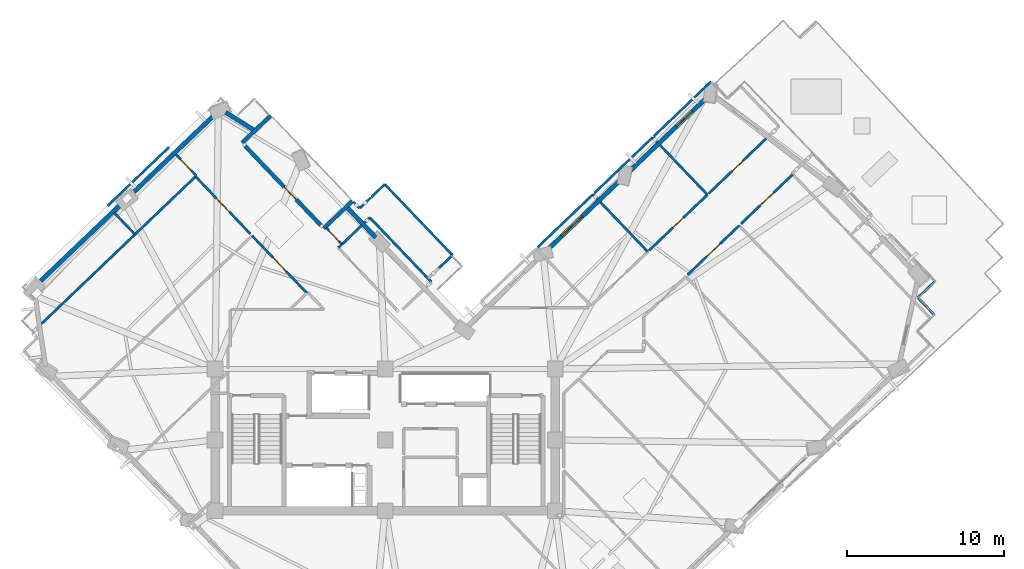
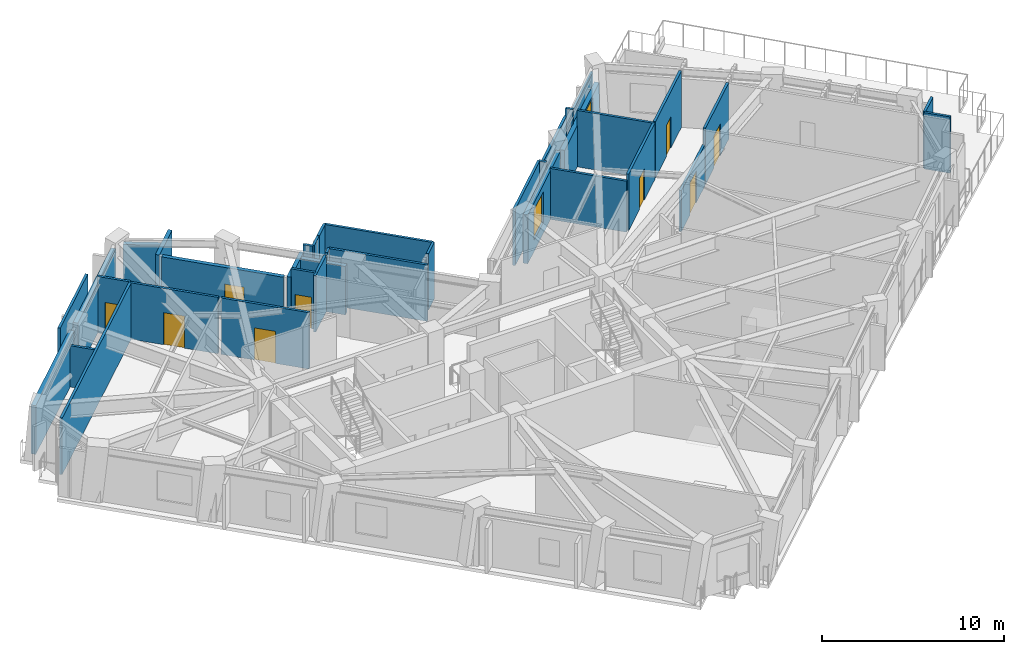
# One storey, part 11 of 17: 37 walls, 9 doors, 2 windows, 11 openings.
"""IFC4 building model written with IfcOpenShell, lengths in metres."""

from ifc_helpers import new_model, si_unit, direction, frame, frame_2d, origin, place, context, subcontext, project, spatial, rectangle, extrude, material, layer, layer_set, type_object, element, fill, save


model = new_model("IFC4")

# Units and contexts
model_context = context("Model", 3, precision=1e-05, world=origin(), true_north=direction((0.0, 1.0)))
body_context = subcontext(model_context, "Body", "Model", "MODEL_VIEW")
ifc_project = project(units=[si_unit("LENGTHUNIT", "METRE"), si_unit("AREAUNIT", "SQUARE_METRE"), si_unit("VOLUMEUNIT", "CUBIC_METRE"), si_unit("PLANEANGLEUNIT", "RADIAN"), si_unit("MASSUNIT", "GRAM", prefix="KILO")], contexts=[model_context])

# Site, building, storey
site_placement = place(None, origin())
site = spatial("IfcSite", under=ifc_project, at=site_placement, CompositionType="ELEMENT")
building_placement = place(site_placement, origin())
building = spatial("IfcBuilding", under=site, at=building_placement, Name="Gaonmaruhae Medical Tower", CompositionType="ELEMENT")
storey_placement = place(building_placement, frame((0.0, 0.0, 211.199951171875)))
storey = spatial("IfcBuildingStorey", under=building, at=storey_placement, Name="L50", CompositionType="ELEMENT", Elevation=211.199951171875)

# Wall, opening, door
ifc_material_1 = material(Name="Precast concrete C45/55", Category="concrete")
ifc_layer_1 = layer(ifc_material_1, 0.239990234375)
ifc_layer_set_1 = layer_set([ifc_layer_1], Name="Precast concrete C45/55")
wall_type_1 = type_object("IfcWallType", Name="EW-240 Ribbon & Shelter Insulated Precast Wall", PredefinedType="SOLIDWALL", material=ifc_layer_set_1)
wall_1_placement = place(storey_placement, frame((15.90185546875, 30.958984375, 0.0), z_axis=(0.0, 0.0, 1.0), x_axis=(0.690876921508, -0.722972391816, 0.0)))
wall_1 = element("IfcWall", 1, at=wall_1_placement, inside=storey, type_object=wall_type_1, Name="L50 Recessed Terrace Enclosure Wall TERB", PredefinedType="SOLIDWALL", context=body_context, shape_type="SweptSolid", body=[
    extrude(rectangle(XDim=6.960205078125, YDim=0.239990234375, at=frame_2d((3.47998046875, 0.0))), origin(), (0.0, 0.0, 1.0), 3.26513671875),
])
opening_1_placement = place(wall_1_placement, frame((3.59716796875, 0.0, 0.0)))
opening_1 = element("IfcOpeningElement", 2, at=opening_1_placement, cuts=wall_1, Name="Opening TD-01", PredefinedType="OPENING", context=body_context, shape_type="SweptSolid", body=[
    extrude(rectangle(XDim=1.10009765625, YDim=2.14990234375, at=frame_2d((0.550048828125, 1.074951171875))), frame((0.0, 0.1298828125, 0.0), z_axis=(0.0, -1.0, 0.0), x_axis=(1.0, 0.0, 0.0)), (0.0, 0.0, 1.0), 0.260009765625),
])
ifc_material_2 = material(Name="Anodised aluminium and toughened safety glass", Category="aluminium")
door_type_1 = type_object("IfcDoorType", Name="TD-01 Terrace & Sky Garden Glazed Door 1100x2150", OperationType="NOTDEFINED", PredefinedType="DOOR", material=ifc_material_2)
door_1_placement = place(opening_1_placement, origin())
door_1 = element("IfcDoor", 3, at=door_1_placement, inside=storey, type_object=door_type_1, Name="L50 Outdoor Terrace Access Door SLB-L50-TER", OperationType="SINGLE_SWING_LEFT", OverallHeight=2.14990234375, OverallWidth=1.10009765625, PredefinedType="DOOR", context=body_context, shape_type="SweptSolid", body=[
    extrude(rectangle(XDim=1.10009765625, YDim=2.14990234375, at=frame_2d((0.550048828125, 1.074951171875))), frame((0.0, 0.02490234375, 0.0), z_axis=(0.0, -1.0, 0.0), x_axis=(1.0, 0.0, 0.0)), (0.0, 0.0, 1.0), 0.050048828125),
])
fill(opening_1, door_1)

# Walls
for number, where, z_axis, x_axis, name in (
    (4, (20.90380859375, 25.724609375, 0.0), (0.0, 0.0, 1.0), (0.722940828191, 0.690909949946, 0.0), "L50 Recessed Terrace Enclosure Wall TERL"),
    (5, (17.515869140625, 32.888671875, 0.0), (0.0, 0.0, 1.0), (-0.722940828191, -0.690909949946, 0.0), "L50 Recessed Terrace Enclosure Wall TERR"),
):
    element("IfcWall", number, at=place(storey_placement, frame(where, z_axis=z_axis, x_axis=x_axis)), inside=storey, type_object=wall_type_1, Name=name, PredefinedType="SOLIDWALL", context=body_context, shape_type="SweptSolid", body=[
        extrude(rectangle(XDim=2.5, YDim=0.239990234375, at=frame_2d((1.25, 0.0))), origin(), (0.0, 0.0, 1.0), 3.26513671875),
    ])

# Wall, opening, window
ifc_layer_2 = layer(ifc_material_1, 0.280029296875)
ifc_layer_set_2 = layer_set([ifc_layer_2], Name="Precast concrete C45/55")
wall_type_2 = type_object("IfcWallType", Name="EW-280 Upper Precast Masonry-Frame Facade Wall", PredefinedType="SOLIDWALL", material=ifc_layer_set_2)
wall_2_placement = place(storey_placement, frame((40.318603515625, 29.353271484375, 0.0), z_axis=(0.0, 0.0, 1.0), x_axis=(0.722967108735, 0.690882449977, 0.0)))
wall_2 = element("IfcWall", 6, at=wall_2_placement, inside=storey, type_object=wall_type_2, Name="L50 Precast Masonry-Frame Wall E03-EN01", PredefinedType="SOLIDWALL", context=body_context, shape_type="SweptSolid", body=[
    extrude(rectangle(XDim=6.77978515625, YDim=0.280029296875, at=frame_2d((3.389892578125, 0.0))), origin(), (0.0, 0.0, 1.0), 2.76513671875),
])
opening_2_placement = place(wall_2_placement, frame((4.123779296875, 0.0, 0.75)))
opening_2 = element("IfcOpeningElement", 7, at=opening_2_placement, cuts=wall_2, Name="Opening WN-03", PredefinedType="OPENING", context=body_context, shape_type="SweptSolid", body=[
    extrude(rectangle(XDim=1.39990234375, YDim=1.85009765625, at=frame_2d((0.699951171875, 0.925048828125))), frame((0.0, 0.14990234375, 0.0), z_axis=(0.0, -1.0, 0.0), x_axis=(1.0, 0.0, 0.0)), (0.0, 0.0, 1.0), 0.300048828125),
])
ifc_material_3 = material(Name="Anodised aluminium and Low-E double glazing", Category="aluminium")
window_type_1 = type_object("IfcWindowType", Name="WN-03 Isolation Ward Punched Window 1400x1850", PartitioningType="SINGLE_PANEL", PredefinedType="WINDOW", material=ifc_material_3)
window_1_placement = place(opening_2_placement, origin())
window_1 = element("IfcWindow", 8, at=window_1_placement, inside=storey, type_object=window_type_1, Name="L50 Modular Facade Window E03", OverallHeight=1.85009765625, OverallWidth=1.39990234375, PartitioningType="SINGLE_PANEL", PredefinedType="WINDOW", context=body_context, shape_type="SweptSolid", body=[
    extrude(rectangle(XDim=1.39990234375, YDim=1.85009765625, at=frame_2d((0.699951171875, 0.925048828125))), frame((0.0, 0.030029296875, 0.0), z_axis=(0.0, -1.0, 0.0), x_axis=(1.0, 0.0, 0.0)), (0.0, 0.0, 1.0), 0.06005859375),
])
fill(opening_2, window_1)

wall_3_placement = place(storey_placement, frame((35.117431640625, 24.3828125, 0.0), z_axis=(0.0, 0.0, 1.0), x_axis=(0.722980120971, 0.690868833195, 0.0)))
wall_3 = element("IfcWall", 9, at=wall_3_placement, inside=storey, type_object=wall_type_2, Name="L50 Precast Masonry-Frame Wall EN01-EN02", PredefinedType="SOLIDWALL", context=body_context, shape_type="SweptSolid", body=[
    extrude(rectangle(XDim=6.4091796875, YDim=0.280029296875, at=frame_2d((3.20458984375, 0.0))), origin(), (0.0, 0.0, 1.0), 3.26513671875),
])
opening_3_placement = place(wall_3_placement, frame((1.24658203125, 0.0, 0.75)))
opening_3 = element("IfcOpeningElement", 10, at=opening_3_placement, cuts=wall_3, Name="Opening WN-04", PredefinedType="OPENING", context=body_context, shape_type="SweptSolid", body=[
    extrude(rectangle(XDim=1.800048828125, YDim=2.050048828125, at=frame_2d((0.89990234375, 1.02490234375))), frame((0.0, 0.14990234375, 0.0), z_axis=(0.0, -1.0, 0.0), x_axis=(1.0, 0.0, 0.0)), (0.0, 0.0, 1.0), 0.300048828125),
])
window_type_2 = type_object("IfcWindowType", Name="WN-04 Clinic & Consult Punched Window 1800x2050", PartitioningType="SINGLE_PANEL", PredefinedType="WINDOW", material=ifc_material_3)
window_2_placement = place(opening_3_placement, origin())
window_2 = element("IfcWindow", 11, at=window_2_placement, inside=storey, type_object=window_type_2, Name="L50 Modular Facade Window EN01", OverallHeight=2.050048828125, OverallWidth=1.800048828125, PartitioningType="SINGLE_PANEL", PredefinedType="WINDOW", context=body_context, shape_type="SweptSolid", body=[
    extrude(rectangle(XDim=1.800048828125, YDim=2.050048828125, at=frame_2d((0.89990234375, 1.02490234375))), frame((0.0, 0.030029296875, 0.0), z_axis=(0.0, -1.0, 0.0), x_axis=(1.0, 0.0, 0.0)), (0.0, 0.0, 1.0), 0.06005859375),
])
fill(opening_3, window_2)

# Walls
wall_4_placement = place(storey_placement, frame((22.3564453125, 27.085205078125, 0.0), z_axis=(0.0, 0.0, 1.0), x_axis=(0.690850366561, -0.722997766956, 0.0)))
element("IfcWall", 12, at=wall_4_placement, inside=storey, type_object=wall_type_2, Name="L50 Precast Masonry-Frame Wall NE01-NE02", PredefinedType="SOLIDWALL", context=body_context, shape_type="SweptSolid", body=[
    extrude(rectangle(XDim=2.680908203125, YDim=0.280029296875, at=frame_2d((1.34033203125, 0.0))), origin(), (0.0, 0.0, 1.0), 3.2451171875),
])
wall_5_placement = place(storey_placement, frame((14.66845703125, 33.096923828125, 0.0), z_axis=(0.0, 0.0, 1.0), x_axis=(0.848820554676, -0.528681062607, 0.0)))
element("IfcWall", 13, at=wall_5_placement, inside=storey, type_object=wall_type_2, Name="L50 Precast Masonry-Frame Wall NE02-N01", PredefinedType="SOLIDWALL", context=body_context, shape_type="SweptSolid", body=[
    extrude(rectangle(XDim=2.165771484375, YDim=0.280029296875, at=frame_2d((1.0830078125, 0.0))), origin(), (0.0, 0.0, 1.0), 3.2451171875),
])
wall_6_placement = place(storey_placement, frame((8.568359375, 27.7822265625, 0.0), z_axis=(0.0, 0.0, 1.0), x_axis=(0.722966997623, 0.69088256625, 0.0)))
element("IfcWall", 14, at=wall_6_placement, inside=storey, type_object=wall_type_2, Name="L50 Precast Masonry-Frame Wall N01-N02", PredefinedType="SOLIDWALL", context=body_context, shape_type="SweptSolid", body=[
    extrude(rectangle(XDim=7.434326171875, YDim=0.280029296875, at=frame_2d((3.71728515625, 0.0))), origin(), (0.0, 0.0, 1.0), 3.26513671875),
])
wall_7_placement = place(storey_placement, frame((2.6171875, 22.09521484375, 0.0), z_axis=(0.0, 0.0, 1.0), x_axis=(0.722973311948, 0.690875958629, 0.0)))
element("IfcWall", 15, at=wall_7_placement, inside=storey, type_object=wall_type_2, Name="L50 Precast Masonry-Frame Wall N02-N03", PredefinedType="SOLIDWALL", context=body_context, shape_type="SweptSolid", body=[
    extrude(rectangle(XDim=7.484619140625, YDim=0.280029296875, at=frame_2d((3.7421875, 0.0))), origin(), (0.0, 0.0, 1.0), 3.26513671875),
])

# Wall, opening, door
ifc_material_4 = material(Name="Gypsum board partition", Category="gypsum")
ifc_layer_3 = layer(ifc_material_4, 0.14990234375)
ifc_layer_set_3 = layer_set([ifc_layer_3], Name="Gypsum board partition")
wall_type_3 = type_object("IfcWallType", Name="PW-150 Rated Clinical Corridor Partition", PredefinedType="PARTITIONING", material=ifc_layer_set_3)
wall_8_placement = place(storey_placement, frame((44.00390625, 22.778076171875, 0.0), z_axis=(0.0, 0.0, 1.0), x_axis=(0.723025899483, 0.69082092374, 0.0)))
wall_8 = element("IfcWall", 16, at=wall_8_placement, inside=storey, type_object=wall_type_3, Name="L50 Interior Partition L50-SUP08-30", PredefinedType="PARTITIONING", context=body_context, shape_type="SweptSolid", body=[
    extrude(rectangle(XDim=4.541015625, YDim=0.14990234375, at=frame_2d((2.2705078125, 0.0))), origin(), (0.0, 0.0, 1.0), 2.76513671875),
])
opening_4_placement = place(wall_8_placement, frame((1.67041015625, 0.0, 0.0)))
opening_4 = element("IfcOpeningElement", 17, at=opening_4_placement, cuts=wall_8, Name="Opening CD-02", PredefinedType="OPENING", context=body_context, shape_type="SweptSolid", body=[
    extrude(rectangle(XDim=1.199951171875, YDim=2.14990234375, at=frame_2d((0.60009765625, 1.074951171875))), frame((0.0, 0.0849609375, 0.0), z_axis=(0.0, -1.0, 0.0), x_axis=(1.0, 0.0, 0.0)), (0.0, 0.0, 1.0), 0.169921875),
])
ifc_material_5 = material(Name="Antimicrobial laminate timber fire door", Category="wood")
door_type_2 = type_object("IfcDoorType", Name="CD-02 Clinical Treatment & Procedure Door 1200x2150", OperationType="NOTDEFINED", PredefinedType="DOOR", material=ifc_material_5)
door_2_placement = place(opening_4_placement, origin())
door_2 = element("IfcDoor", 18, at=door_2_placement, inside=storey, type_object=door_type_2, Name="L50 Clinical Biomedical Charting Office Door", OperationType="SINGLE_SWING_LEFT", OverallHeight=2.14990234375, OverallWidth=1.199951171875, PredefinedType="DOOR", context=body_context, shape_type="SweptSolid", body=[
    extrude(rectangle(XDim=1.199951171875, YDim=2.14990234375, at=frame_2d((0.60009765625, 1.074951171875))), frame((0.0, 0.02490234375, 0.0), z_axis=(0.0, -1.0, 0.0), x_axis=(1.0, 0.0, 0.0)), (0.0, 0.0, 1.0), 0.050048828125),
])
fill(opening_4, door_2)

wall_9_placement = place(storey_placement, frame((47.402099609375, 26.02490234375, 0.0), z_axis=(0.0, 0.0, 1.0), x_axis=(0.722973384646, 0.690875882553, 0.0)))
wall_9 = element("IfcWall", 19, at=wall_9_placement, inside=storey, type_object=wall_type_3, Name="L50 Interior Partition L50-SUP09-33", PredefinedType="PARTITIONING", context=body_context, shape_type="SweptSolid", body=[
    extrude(rectangle(XDim=4.541015625, YDim=0.14990234375, at=frame_2d((2.2705078125, 0.0))), origin(), (0.0, 0.0, 1.0), 3.780029296875),
])
opening_5_placement = place(wall_9_placement, frame((1.67041015625, 0.0, 0.0)))
opening_5 = element("IfcOpeningElement", 20, at=opening_5_placement, cuts=wall_9, Name="Opening CD-02", PredefinedType="OPENING", context=body_context, shape_type="SweptSolid", body=[
    extrude(rectangle(XDim=1.199951171875, YDim=2.14990234375, at=frame_2d((0.60009765625, 1.074951171875))), frame((0.0, 0.0849609375, 0.0), z_axis=(0.0, -1.0, 0.0), x_axis=(1.0, 0.0, 0.0)), (0.0, 0.0, 1.0), 0.169921875),
])
door_3_placement = place(opening_5_placement, origin())
door_3 = element("IfcDoor", 21, at=door_3_placement, inside=storey, type_object=door_type_2, Name="L50 Clinical Biomedical Charting Office Door", OperationType="SINGLE_SWING_LEFT", OverallHeight=2.14990234375, OverallWidth=1.199951171875, PredefinedType="DOOR", context=body_context, shape_type="SweptSolid", body=[
    extrude(rectangle(XDim=1.199951171875, YDim=2.14990234375, at=frame_2d((0.60009765625, 1.074951171875))), frame((0.0, 0.02490234375, 0.0), z_axis=(0.0, -1.0, 0.0), x_axis=(1.0, 0.0, 0.0)), (0.0, 0.0, 1.0), 0.050048828125),
])
fill(opening_5, door_3)

wall_10_placement = place(storey_placement, frame((16.35302734375, 25.261962890625, 0.0), z_axis=(0.0, 0.0, 1.0), x_axis=(0.690842016715, -0.723005745441, 0.0)))
wall_10 = element("IfcWall", 22, at=wall_10_placement, inside=storey, type_object=wall_type_3, Name="L50 Interior Partition L50-WOF13-50", PredefinedType="PARTITIONING", context=body_context, shape_type="SweptSolid", body=[
    extrude(rectangle(XDim=5.0400390625, YDim=0.14990234375, at=frame_2d((2.52001953125, 0.0))), origin(), (0.0, 0.0, 1.0), 3.780029296875),
])
opening_6_placement = place(wall_10_placement, frame((1.920166015625, 0.0, 0.0)))
opening_6 = element("IfcOpeningElement", 23, at=opening_6_placement, cuts=wall_10, Name="Opening CD-02", PredefinedType="OPENING", context=body_context, shape_type="SweptSolid", body=[
    extrude(rectangle(XDim=1.199951171875, YDim=2.14990234375, at=frame_2d((0.60009765625, 1.074951171875))), frame((0.0, 0.0849609375, 0.0), z_axis=(0.0, -1.0, 0.0), x_axis=(1.0, 0.0, 0.0)), (0.0, 0.0, 1.0), 0.169921875),
])
door_4_placement = place(opening_6_placement, origin())
door_4 = element("IfcDoor", 24, at=door_4_placement, inside=storey, type_object=door_type_2, Name="L50 Ward Physician Reporting Office Door", OperationType="SINGLE_SWING_RIGHT", OverallHeight=2.14990234375, OverallWidth=1.199951171875, PredefinedType="DOOR", context=body_context, shape_type="SweptSolid", body=[
    extrude(rectangle(XDim=1.199951171875, YDim=2.14990234375, at=frame_2d((0.60009765625, 1.074951171875))), frame((0.0, 0.02490234375, 0.0), z_axis=(0.0, -1.0, 0.0), x_axis=(1.0, 0.0, 0.0)), (0.0, 0.0, 1.0), 0.050048828125),
])
fill(opening_6, door_4)

# Wall
wall_11_placement = place(storey_placement, frame((2.948974609375, 19.64599609375, 0.0), z_axis=(0.0, 0.0, 1.0), x_axis=(0.722954347525, 0.690895803573, 0.0)))
element("IfcWall", 25, at=wall_11_placement, inside=storey, type_object=wall_type_3, Name="L50 Interior Partition L50-WOF14-54", PredefinedType="PARTITIONING", context=body_context, shape_type="SweptSolid", body=[
    extrude(rectangle(XDim=13.57080078125, YDim=0.14990234375, at=frame_2d((6.785400390625, 0.0))), origin(), (0.0, 0.0, 1.0), 3.780029296875),
])

# Wall, opening, door
wall_12_placement = place(storey_placement, frame((12.760009765625, 29.02197265625, 0.0), z_axis=(0.0, 0.0, 1.0), x_axis=(0.690842016715, -0.723005745441, 0.0)))
wall_12 = element("IfcWall", 26, at=wall_12_placement, inside=storey, type_object=wall_type_3, Name="L50 Interior Partition L50-WOF14-55", PredefinedType="PARTITIONING", context=body_context, shape_type="SweptSolid", body=[
    extrude(rectangle(XDim=5.0400390625, YDim=0.14990234375, at=frame_2d((2.52001953125, 0.0))), origin(), (0.0, 0.0, 1.0), 3.780029296875),
])
opening_7_placement = place(wall_12_placement, frame((1.920166015625, 0.0, 0.0)))
opening_7 = element("IfcOpeningElement", 27, at=opening_7_placement, cuts=wall_12, Name="Opening CD-02", PredefinedType="OPENING", context=body_context, shape_type="SweptSolid", body=[
    extrude(rectangle(XDim=1.199951171875, YDim=2.14990234375, at=frame_2d((0.60009765625, 1.074951171875))), frame((0.0, 0.0849609375, 0.0), z_axis=(0.0, -1.0, 0.0), x_axis=(1.0, 0.0, 0.0)), (0.0, 0.0, 1.0), 0.169921875),
])
door_5_placement = place(opening_7_placement, origin())
door_5 = element("IfcDoor", 28, at=door_5_placement, inside=storey, type_object=door_type_2, Name="L50 Ward Physician Reporting Office Door", OperationType="SINGLE_SWING_RIGHT", OverallHeight=2.14990234375, OverallWidth=1.199951171875, PredefinedType="DOOR", context=body_context, shape_type="SweptSolid", body=[
    extrude(rectangle(XDim=1.199951171875, YDim=2.14990234375, at=frame_2d((0.60009765625, 1.074951171875))), frame((0.0, 0.02490234375, 0.0), z_axis=(0.0, -1.0, 0.0), x_axis=(1.0, 0.0, 0.0)), (0.0, 0.0, 1.0), 0.050048828125),
])
fill(opening_7, door_5)

# Walls
wall_13_placement = place(storey_placement, frame((34.48095703125, 24.534912109375, 0.0), z_axis=(0.0, 0.0, 1.0), x_axis=(0.722856813983, 0.690997848389, 0.0)))
element("IfcWall", 29, at=wall_13_placement, inside=storey, type_object=wall_type_3, Name="L50 Interior Partition L50-IE03-64", PredefinedType="PARTITIONING", context=body_context, shape_type="SweptSolid", body=[
    extrude(rectangle(XDim=4.8583984375, YDim=0.14990234375, at=frame_2d((2.42919921875, 0.0))), origin(), (0.0, 0.0, 1.0), 3.780029296875),
])
wall_14_placement = place(storey_placement, frame((37.992919921875, 27.89208984375, 0.0), z_axis=(0.0, 0.0, 1.0), x_axis=(0.6906755607, -0.723164759824, 0.0)))
element("IfcWall", 30, at=wall_14_placement, inside=storey, type_object=wall_type_3, Name="L50 Interior Partition L50-IE03-65", PredefinedType="PARTITIONING", context=body_context, shape_type="SweptSolid", body=[
    extrude(rectangle(XDim=0.435791015625, YDim=0.14990234375, at=frame_2d((0.2177734375, 0.0))), origin(), (0.0, 0.0, 1.0), 3.780029296875),
])
wall_15_placement = place(storey_placement, frame((38.452880859375, 27.410888671875, 0.0), z_axis=(0.0, 0.0, 1.0), x_axis=(0.690851288879, -0.722996885647, 0.0)))
element("IfcWall", 31, at=wall_15_placement, inside=storey, type_object=wall_type_3, Name="L50 Interior Partition L50-IE03-66", PredefinedType="PARTITIONING", context=body_context, shape_type="SweptSolid", body=[
    extrude(rectangle(XDim=4.37451171875, YDim=0.14990234375, at=frame_2d((2.187255859375, 0.0))), origin(), (0.0, 0.0, 1.0), 3.4150390625),
])

# Wall, opening, door
wall_16_placement = place(storey_placement, frame((45.263916015625, 27.867919921875, 0.0), z_axis=(0.0, 0.0, 1.0), x_axis=(-0.723040441691, -0.690805703276, 0.0)))
wall_16 = element("IfcWall", 32, at=wall_16_placement, inside=storey, type_object=wall_type_3, Name="L50 Interior Partition L50-IE04-67", PredefinedType="PARTITIONING", context=body_context, shape_type="SweptSolid", body=[
    extrude(rectangle(XDim=5.119873046875, YDim=0.14990234375, at=frame_2d((2.56005859375, 0.0))), origin(), (0.0, 0.0, 1.0), 3.780029296875),
])
opening_8_placement = place(wall_16_placement, frame((2.10009765625, 0.0, 0.0)))
opening_8 = element("IfcOpeningElement", 33, at=opening_8_placement, cuts=wall_16, Name="Opening UD-01", PredefinedType="OPENING", context=body_context, shape_type="SweptSolid", body=[
    extrude(rectangle(XDim=0.919921875, YDim=2.10009765625, at=frame_2d((0.4599609375, 1.050048828125))), frame((0.0, 0.0849609375, 0.0), z_axis=(0.0, -1.0, 0.0), x_axis=(1.0, 0.0, 0.0)), (0.0, 0.0, 1.0), 0.169921875),
])
ifc_material_6 = material(Name="Powder-coated steel utility door", Category="steel")
door_type_3 = type_object("IfcDoorType", Name="UD-01 Toilet, Utility & Housekeeping Door 920x2100", OperationType="NOTDEFINED", PredefinedType="DOOR", material=ifc_material_6)
door_6_placement = place(opening_8_placement, origin())
door_6 = element("IfcDoor", 34, at=door_6_placement, inside=storey, type_object=door_type_3, Name="L50 Accessible Public Toilet Door", OperationType="SINGLE_SWING_LEFT", OverallHeight=2.10009765625, OverallWidth=0.919921875, PredefinedType="DOOR", context=body_context, shape_type="SweptSolid", body=[
    extrude(rectangle(XDim=0.919921875, YDim=2.10009765625, at=frame_2d((0.4599609375, 1.050048828125))), frame((0.0, 0.02490234375, 0.0), z_axis=(0.0, -1.0, 0.0), x_axis=(1.0, 0.0, 0.0)), (0.0, 0.0, 1.0), 0.050048828125),
])
fill(opening_8, door_6)

# Walls
wall_17_placement = place(storey_placement, frame((38.080078125, 27.97412109375, 0.0), z_axis=(0.0, 0.0, 1.0), x_axis=(0.7228541217, 0.69100066479, 0.0)))
element("IfcWall", 35, at=wall_17_placement, inside=storey, type_object=wall_type_3, Name="L50 Interior Partition L50-IE04-68", PredefinedType="PARTITIONING", context=body_context, shape_type="SweptSolid", body=[
    extrude(rectangle(XDim=5.119873046875, YDim=0.14990234375, at=frame_2d((2.56005859375, 0.0))), origin(), (0.0, 0.0, 1.0), 3.26513671875),
])
wall_18_placement = place(storey_placement, frame((41.781005859375, 31.511962890625, 0.0), z_axis=(0.0, 0.0, 1.0), x_axis=(0.690955405994, -0.7228973834, 0.0)))
element("IfcWall", 36, at=wall_18_placement, inside=storey, type_object=wall_type_3, Name="L50 Interior Partition L50-IE04-69", PredefinedType="PARTITIONING", context=body_context, shape_type="SweptSolid", body=[
    extrude(rectangle(XDim=0.435546875, YDim=0.14990234375, at=frame_2d((0.2177734375, 0.0))), origin(), (0.0, 0.0, 1.0), 3.780029296875),
])
wall_19_placement = place(storey_placement, frame((42.240966796875, 31.031005859375, 0.0), z_axis=(0.0, 0.0, 1.0), x_axis=(0.690910919036, -0.722939902037, 0.0)))
element("IfcWall", 37, at=wall_19_placement, inside=storey, type_object=wall_type_3, Name="L50 Interior Partition L50-IE04-70", PredefinedType="PARTITIONING", context=body_context, shape_type="SweptSolid", body=[
    extrude(rectangle(XDim=4.375244140625, YDim=0.14990234375, at=frame_2d((2.1875, 0.0))), origin(), (0.0, 0.0, 1.0), 3.780029296875),
])

# Wall, opening, door
wall_20_placement = place(storey_placement, frame((49.006103515625, 31.444091796875, 0.0), z_axis=(0.0, 0.0, 1.0), x_axis=(-0.723025524687, -0.690821316008, 0.0)))
wall_20 = element("IfcWall", 38, at=wall_20_placement, inside=storey, type_object=wall_type_3, Name="L50 Interior Partition L50-IE05-74", PredefinedType="PARTITIONING", context=body_context, shape_type="SweptSolid", body=[
    extrude(rectangle(XDim=5.056640625, YDim=0.14990234375, at=frame_2d((2.5283203125, 0.0))), origin(), (0.0, 0.0, 1.0), 3.780029296875),
])
opening_9_placement = place(wall_20_placement, frame((2.068115234375, 0.0, 0.0)))
opening_9 = element("IfcOpeningElement", 39, at=opening_9_placement, cuts=wall_20, Name="Opening UD-01", PredefinedType="OPENING", context=body_context, shape_type="SweptSolid", body=[
    extrude(rectangle(XDim=0.919921875, YDim=2.10009765625, at=frame_2d((0.4599609375, 1.050048828125))), frame((0.0, 0.0849609375, 0.0), z_axis=(0.0, -1.0, 0.0), x_axis=(1.0, 0.0, 0.0)), (0.0, 0.0, 1.0), 0.169921875),
])
door_7_placement = place(opening_9_placement, origin())
door_7 = element("IfcDoor", 40, at=door_7_placement, inside=storey, type_object=door_type_3, Name="L50 Ward Housekeeping and Linen Store Door", OperationType="SINGLE_SWING_LEFT", OverallHeight=2.10009765625, OverallWidth=0.919921875, PredefinedType="DOOR", context=body_context, shape_type="SweptSolid", body=[
    extrude(rectangle(XDim=0.919921875, YDim=2.10009765625, at=frame_2d((0.4599609375, 1.050048828125))), frame((0.0, 0.02490234375, 0.0), z_axis=(0.0, -1.0, 0.0), x_axis=(1.0, 0.0, 0.0)), (0.0, 0.0, 1.0), 0.050048828125),
])
fill(opening_9, door_7)

# Walls
wall_21_placement = place(storey_placement, frame((41.867919921875, 31.594970703125, 0.0), z_axis=(0.0, 0.0, 1.0), x_axis=(0.723021413842, 0.690825618464, 0.0)))
element("IfcWall", 41, at=wall_21_placement, inside=storey, type_object=wall_type_3, Name="L50 Interior Partition L50-IE05-75", PredefinedType="PARTITIONING", context=body_context, shape_type="SweptSolid", body=[
    extrude(rectangle(XDim=5.027587890625, YDim=0.14990234375, at=frame_2d((2.513671875, 0.0))), origin(), (0.0, 0.0, 1.0), 2.76513671875),
])
wall_22_placement = place(storey_placement, frame((21.826904296875, 24.498046875, 0.0), z_axis=(0.0, 0.0, 1.0), x_axis=(0.723018377462, 0.69082879634, 0.0)))
element("IfcWall", 42, at=wall_22_placement, inside=storey, type_object=wall_type_3, Name="L50 Interior Partition L50-IN01-77", PredefinedType="PARTITIONING", context=body_context, shape_type="SweptSolid", body=[
    extrude(rectangle(XDim=2.055419921875, YDim=0.14990234375, at=frame_2d((1.02783203125, 0.0))), origin(), (0.0, 0.0, 1.0), 3.780029296875),
])
wall_23_placement = place(storey_placement, frame((23.47900390625, 26.076904296875, 0.0), z_axis=(0.0, 0.0, 1.0), x_axis=(0.723264188429, 0.690571439995, 0.0)))
element("IfcWall", 43, at=wall_23_placement, inside=storey, type_object=wall_type_3, Name="L50 Interior Partition L50-IN01-78", PredefinedType="PARTITIONING", context=body_context, shape_type="SweptSolid", body=[
    extrude(rectangle(XDim=0.4853515625, YDim=0.14990234375, at=frame_2d((0.24267578125, 0.0))), origin(), (0.0, 0.0, 1.0), 3.780029296875),
])
wall_24_placement = place(storey_placement, frame((23.830078125, 26.412109375, 0.0), z_axis=(0.0, 0.0, 1.0), x_axis=(0.690821667132, -0.723025189202, 0.0)))
element("IfcWall", 44, at=wall_24_placement, inside=storey, type_object=wall_type_3, Name="L50 Interior Partition L50-IN01-79", PredefinedType="PARTITIONING", context=body_context, shape_type="SweptSolid", body=[
    extrude(rectangle(XDim=5.655517578125, YDim=0.14990234375, at=frame_2d((2.82763671875, 0.0))), origin(), (0.0, 0.0, 1.0), 3.780029296875),
])
wall_25_placement = place(storey_placement, frame((8.89990234375, 25.361083984375, 0.0), z_axis=(0.0, 0.0, 1.0), x_axis=(-0.69081517616, 0.723031391011, 0.0)))
element("IfcWall", 45, at=wall_25_placement, inside=storey, type_object=wall_type_3, Name="L50 Interior Partition L50-RM02-88", PredefinedType="PARTITIONING", context=body_context, shape_type="SweptSolid", body=[
    extrude(rectangle(XDim=1.8642578125, YDim=0.14990234375, at=frame_2d((0.93212890625, 0.0))), origin(), (0.0, 0.0, 1.0), 2.76513671875),
])
wall_26_placement = place(storey_placement, frame((7.173095703125, 27.16796875, 0.0), z_axis=(0.0, 0.0, 1.0), x_axis=(0.722958515641, 0.690891442024, 0.0)))
element("IfcWall", 46, at=wall_26_placement, inside=storey, type_object=wall_type_3, Name="L50 Interior Partition L50-RM02-89", PredefinedType="PARTITIONING", context=body_context, shape_type="SweptSolid", body=[
    extrude(rectangle(XDim=5.390380859375, YDim=0.14990234375, at=frame_2d((2.6953125, 0.0))), origin(), (0.0, 0.0, 1.0), 3.780029296875),
])

# Wall, opening, door
wall_27_placement = place(storey_placement, frame((11.509033203125, 30.43310546875, 0.0), z_axis=(0.0, 0.0, 1.0), x_axis=(0.690731383484, -0.723111440838, 0.0)))
wall_27 = element("IfcWall", 47, at=wall_27_placement, inside=storey, type_object=wall_type_3, Name="L50 Interior Partition L50-RM02-90", PredefinedType="PARTITIONING", context=body_context, shape_type="SweptSolid", body=[
    extrude(rectangle(XDim=1.885009765625, YDim=0.14990234375, at=frame_2d((0.9423828125, 0.0))), origin(), (0.0, 0.0, 1.0), 3.780029296875),
])
opening_10_placement = place(wall_27_placement, frame((0.4423828125, 0.0, 0.0)))
opening_10 = element("IfcOpeningElement", 48, at=opening_10_placement, cuts=wall_27, Name="Opening CD-01", PredefinedType="OPENING", context=body_context, shape_type="SweptSolid", body=[
    extrude(rectangle(XDim=1.0, YDim=2.1201171875, at=frame_2d((0.5, 1.06005859375))), frame((0.0, 0.0849609375, 0.0), z_axis=(0.0, -1.0, 0.0), x_axis=(1.0, 0.0, 0.0)), (0.0, 0.0, 1.0), 0.169921875),
])
door_type_4 = type_object("IfcDoorType", Name="CD-01 Consultation & Physician Office Door 1000x2120", OperationType="NOTDEFINED", PredefinedType="DOOR", material=ifc_material_5)
door_8_placement = place(opening_10_placement, origin())
door_8 = element("IfcDoor", 49, at=door_8_placement, inside=storey, type_object=door_type_4, Name="L50 Care Team Clinical Charting Office Door", OperationType="SINGLE_SWING_RIGHT", OverallHeight=2.1201171875, OverallWidth=1.0, PredefinedType="DOOR", context=body_context, shape_type="SweptSolid", body=[
    extrude(rectangle(XDim=1.0, YDim=2.1201171875, at=frame_2d((0.5, 1.06005859375))), frame((0.0, 0.02490234375, 0.0), z_axis=(0.0, -1.0, 0.0), x_axis=(1.0, 0.0, 0.0)), (0.0, 0.0, 1.0), 0.050048828125),
])
fill(opening_10, door_8)

wall_28_placement = place(storey_placement, frame((22.0458984375, 24.73291015625, 0.0), z_axis=(0.0, 0.0, 1.0), x_axis=(-0.690920076878, 0.722931149811, 0.0)))
wall_28 = element("IfcWall", 50, at=wall_28_placement, inside=storey, type_object=wall_type_3, Name="L50 Interior Partition L50-RM03-93", PredefinedType="PARTITIONING", context=body_context, shape_type="SweptSolid", body=[
    extrude(rectangle(XDim=1.410888671875, YDim=0.14990234375, at=frame_2d((0.70556640625, 0.0))), origin(), (0.0, 0.0, 1.0), 3.780029296875),
])
opening_11_placement = place(wall_28_placement, frame((0.24560546875, 0.0, 0.0)))
opening_11 = element("IfcOpeningElement", 51, at=opening_11_placement, cuts=wall_28, Name="Opening UD-01", PredefinedType="OPENING", context=body_context, shape_type="SweptSolid", body=[
    extrude(rectangle(XDim=0.919921875, YDim=2.10009765625, at=frame_2d((0.4599609375, 1.050048828125))), frame((0.0, 0.0849609375, 0.0), z_axis=(0.0, -1.0, 0.0), x_axis=(1.0, 0.0, 0.0)), (0.0, 0.0, 1.0), 0.169921875),
])
door_9_placement = place(opening_11_placement, origin())
door_9 = element("IfcDoor", 52, at=door_9_placement, inside=storey, type_object=door_type_3, Name="L50 Biomedical Mobile Equipment Bay Door", OperationType="SINGLE_SWING_LEFT", OverallHeight=2.10009765625, OverallWidth=0.919921875, PredefinedType="DOOR", context=body_context, shape_type="SweptSolid", body=[
    extrude(rectangle(XDim=0.919921875, YDim=2.10009765625, at=frame_2d((0.4599609375, 1.050048828125))), frame((0.0, 0.02490234375, 0.0), z_axis=(0.0, -1.0, 0.0), x_axis=(1.0, 0.0, 0.0)), (0.0, 0.0, 1.0), 0.050048828125),
])
fill(opening_11, door_9)

# Walls
wall_29_placement = place(storey_placement, frame((22.800048828125, 27.4169921875, 0.0), z_axis=(0.0, 0.0, 1.0), x_axis=(0.690580756179, -0.723255293237, 0.0)))
element("IfcWall", 53, at=wall_29_placement, inside=storey, type_object=wall_type_3, Name="L50 Interior Partition L50-RM03-94", PredefinedType="PARTITIONING", context=body_context, shape_type="SweptSolid", body=[
    extrude(rectangle(XDim=0.552978515625, YDim=0.14990234375, at=frame_2d((0.2763671875, 0.0))), origin(), (0.0, 0.0, 1.0), 3.780029296875),
])
wall_30_placement = place(storey_placement, frame((23.181884765625, 27.01708984375, 0.0), z_axis=(0.0, 0.0, 1.0), x_axis=(0.7235154417, 0.690308196114, 0.0)))
element("IfcWall", 54, at=wall_30_placement, inside=storey, type_object=wall_type_3, Name="L50 Interior Partition L50-RM03-95", PredefinedType="PARTITIONING", context=body_context, shape_type="SweptSolid", body=[
    extrude(rectangle(XDim=0.970458984375, YDim=0.14990234375, at=frame_2d((0.4853515625, 0.0))), origin(), (0.0, 0.0, 1.0), 3.780029296875),
])
wall_31_placement = place(storey_placement, frame((23.927001953125, 27.72802734375, 0.0), z_axis=(0.0, 0.0, 1.0), x_axis=(0.72267809254, 0.691184761523, 0.0)))
element("IfcWall", 55, at=wall_31_placement, inside=storey, type_object=wall_type_3, Name="L50 Interior Partition L50-RM04-98", PredefinedType="PARTITIONING", context=body_context, shape_type="SweptSolid", body=[
    extrude(rectangle(XDim=1.170654296875, YDim=0.14990234375, at=frame_2d((0.58544921875, 0.0))), origin(), (0.0, 0.0, 1.0), 3.780029296875),
])
wall_32_placement = place(storey_placement, frame((24.77294921875, 28.537109375, 0.0), z_axis=(0.0, 0.0, 1.0), x_axis=(0.690856861123, -0.722991561112, 0.0)))
element("IfcWall", 56, at=wall_32_placement, inside=storey, type_object=wall_type_3, Name="L50 Interior Partition L50-RM04-99", PredefinedType="PARTITIONING", context=body_context, shape_type="SweptSolid", body=[
    extrude(rectangle(XDim=6.22998046875, YDim=0.14990234375, at=frame_2d((3.114990234375, 0.0))), origin(), (0.0, 0.0, 1.0), 3.780029296875),
])
wall_33_placement = place(storey_placement, frame((29.076904296875, 24.032958984375, 0.0), z_axis=(0.0, 0.0, 1.0), x_axis=(-0.722782278471, -0.691075811998, 0.0)))
element("IfcWall", 57, at=wall_33_placement, inside=storey, type_object=wall_type_3, Name="L50 Interior Partition L50-RM04-100", PredefinedType="PARTITIONING", context=body_context, shape_type="SweptSolid", body=[
    extrude(rectangle(XDim=1.17041015625, YDim=0.14990234375, at=frame_2d((0.585205078125, 0.0))), origin(), (0.0, 0.0, 1.0), 3.780029296875),
])
wall_34_placement = place(storey_placement, frame((59.715087890625, 22.367919921875, 0.0), z_axis=(0.0, 0.0, 1.0), x_axis=(-0.723351849636, -0.690479617099, 0.0)))
element("IfcWall", 58, at=wall_34_placement, inside=storey, type_object=wall_type_3, Name="L50 Interior Partition L50-RM06-110", PredefinedType="PARTITIONING", context=body_context, shape_type="SweptSolid", body=[
    extrude(rectangle(XDim=1.500244140625, YDim=0.14990234375, at=frame_2d((0.75, 0.0))), origin(), (0.0, 0.0, 1.0), 3.780029296875),
])
wall_35_placement = place(storey_placement, frame((58.6298828125, 21.33203125, 0.0), z_axis=(0.0, 0.0, 1.0), x_axis=(0.690971235046, -0.722882253441, 0.0)))
element("IfcWall", 59, at=wall_35_placement, inside=storey, type_object=wall_type_3, Name="L50 Interior Partition L50-RM06-111", PredefinedType="PARTITIONING", context=body_context, shape_type="SweptSolid", body=[
    extrude(rectangle(XDim=1.49951171875, YDim=0.14990234375, at=frame_2d((0.749755859375, 0.0))), origin(), (0.0, 0.0, 1.0), 3.780029296875),
])

save(model, "model.ifc")
